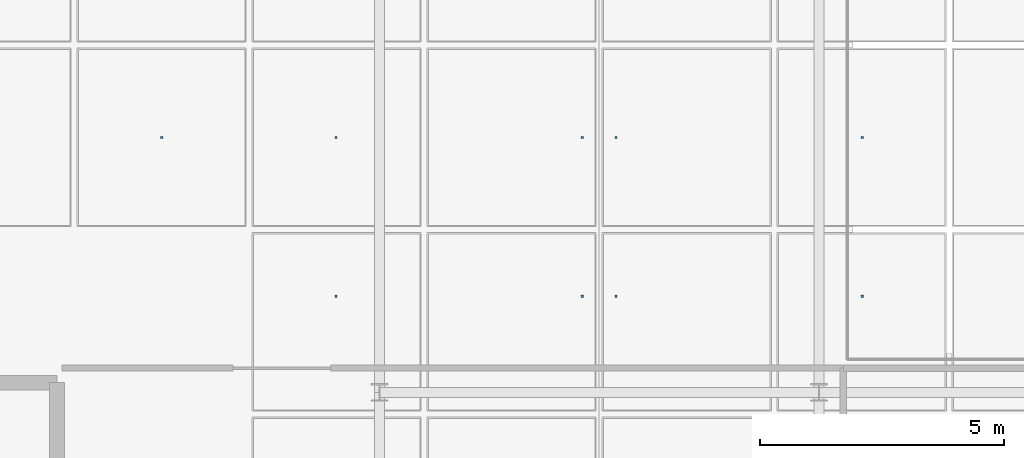
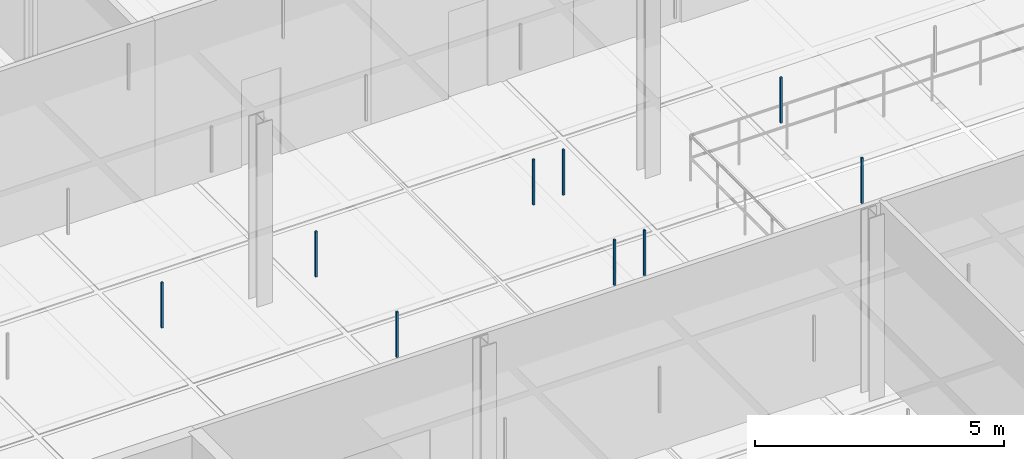
# One storey, part 100 of 140: 9 discrete accessories.
"""IFC4 building model written with IfcOpenShell, lengths in metres."""

from ifc_helpers import new_model, si_unit, direction, frame, origin, origin_2d, place, context, subcontext, project, spatial, rectangle, extrude, material, type_object, element, save


model = new_model("IFC4")

# Units and contexts
model_context = context("Model", 3, precision=1e-05, world=origin(), true_north=direction((0.0, 1.0)))
body_context = subcontext(model_context, "Body", "Model", "MODEL_VIEW")
ifc_project = project(units=[si_unit("LENGTHUNIT", "METRE"), si_unit("AREAUNIT", "SQUARE_METRE"), si_unit("VOLUMEUNIT", "CUBIC_METRE"), si_unit("PLANEANGLEUNIT", "RADIAN"), si_unit("MASSUNIT", "GRAM", prefix="KILO"), si_unit("THERMODYNAMICTEMPERATUREUNIT", "KELVIN"), si_unit("POWERUNIT", "WATT")], contexts=[model_context])

# Site, building, storey
site_placement = place(None, origin())
site = spatial("IfcSite", under=ifc_project, at=site_placement, CompositionType="ELEMENT")
building_placement = place(site_placement, origin())
building = spatial("IfcBuilding", under=site, at=building_placement, Name="Tallowbark Science Centre", CompositionType="ELEMENT")
storey_placement = place(building_placement, frame((0.0, 0.0, 9.89990234375)))
storey = spatial("IfcBuildingStorey", under=building, at=storey_placement, Name="L02", CompositionType="ELEMENT", Elevation=9.89990234375)

# Discrete accessories
ifc_material = material(Name="Galvanised Steel Grade C350L0 (350 MPa)", Category="steel")
discrete_accessory_type = type_object("IfcDiscreteAccessoryType", Name="ACC-CLG-HNG", PredefinedType="BRACKET", material=ifc_material)
for number, where, z_axis, x_axis, name in (
    (1, (72.041748046875, 18.72216796875, 3.20947265625), (0.0, 0.0, 1.0), (1.0, 0.0, 0.0), "Ceiling Hanger Bracket L02-786"),
    (2, (75.61181640625, 15.4716796875, 3.20947265625), (0.0, 0.0, 1.0), (1.0, 0.0, 0.0), "Ceiling Hanger Bracket L02-794"),
    (3, (75.61181640625, 18.72216796875, 3.20947265625), (0.0, 0.0, 1.0), (1.0, 0.0, 0.0), "Ceiling Hanger Bracket L02-795"),
    (4, (80.655029296875, 15.4716796875, 3.20947265625), (0.0, 0.0, 1.0), (1.0, 0.0, 0.0), "Ceiling Hanger Bracket L02-803"),
    (5, (80.655029296875, 18.72216796875, 3.20947265625), (0.0, 0.0, 1.0), (1.0, 0.0, 0.0), "Ceiling Hanger Bracket L02-804"),
    (6, (81.344970703125, 15.4716796875, 3.20947265625), (0.0, 0.0, 1.0), (1.0, 0.0, 0.0), "Ceiling Hanger Bracket L02-812"),
    (7, (81.344970703125, 18.72216796875, 3.20947265625), (0.0, 0.0, 1.0), (1.0, 0.0, 0.0), "Ceiling Hanger Bracket L02-813"),
    (8, (86.38818359375, 15.4716796875, 3.20947265625), (0.0, 0.0, 1.0), (1.0, 0.0, 0.0), "Ceiling Hanger Bracket L02-821"),
    (9, (86.38818359375, 18.72216796875, 3.20947265625), (0.0, 0.0, 1.0), (1.0, 0.0, 0.0), "Ceiling Hanger Bracket L02-822"),
):
    element("IfcDiscreteAccessory", number, at=place(storey_placement, frame(where, z_axis=z_axis, x_axis=x_axis)), inside=storey, type_object=discrete_accessory_type, Name=name, PredefinedType="BRACKET", context=body_context, shape_type="SweptSolid", body=[
        extrude(rectangle(XDim=0.044921875, YDim=0.044921875, at=origin_2d()), origin(), (0.0, 0.0, 1.0), 1.113525390625),
    ])

save(model, "model.ifc")
